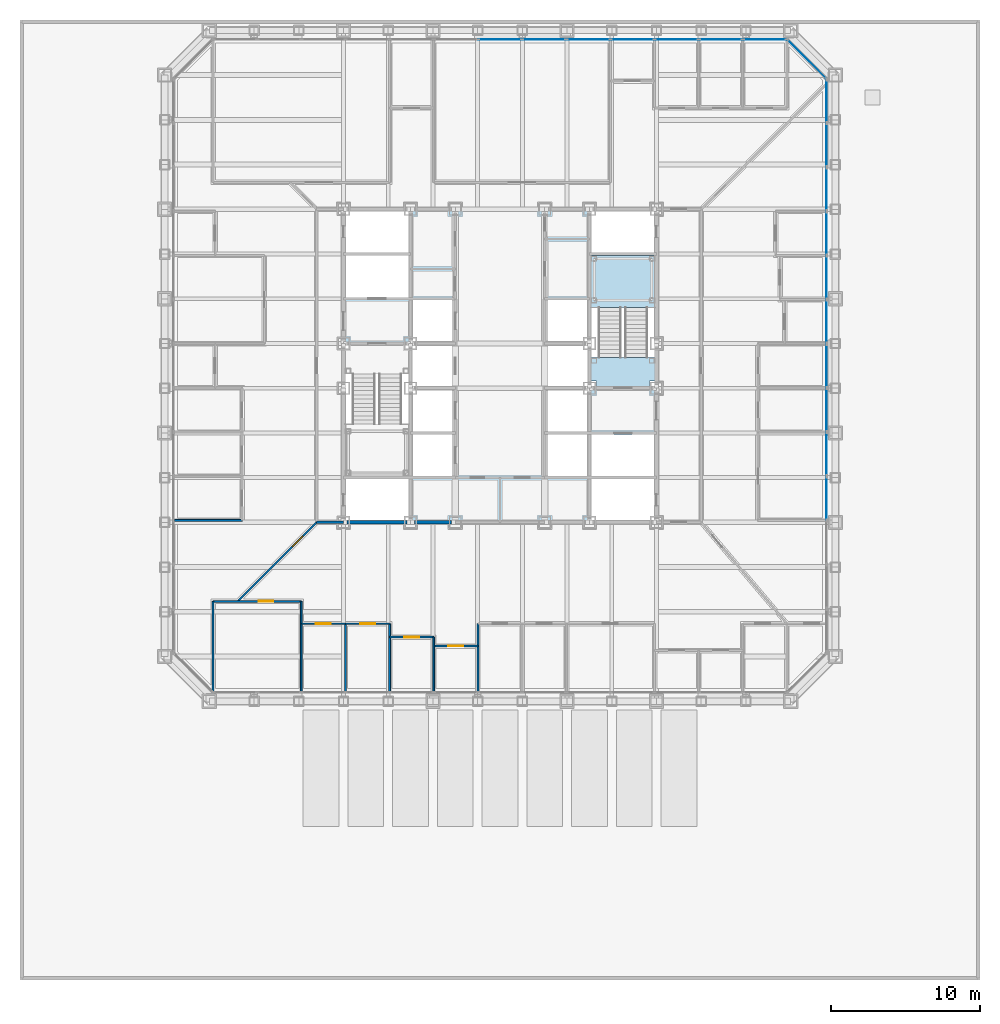
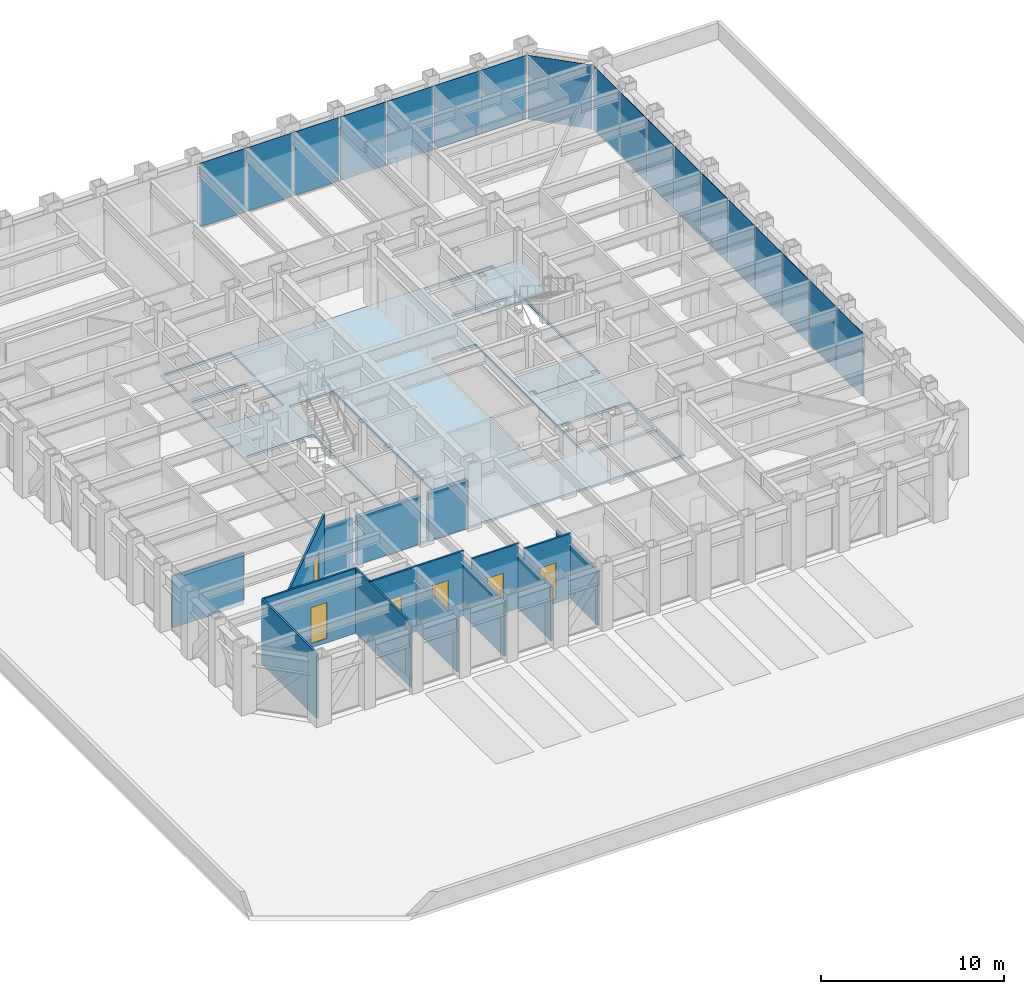
# One storey, part 8 of 18: 18 plates, 16 walls, 6 doors, 3 slabs, 6 openings, 4 elements without a shape of their own.
"""IFC4 building model written with IfcOpenShell, lengths in metres."""

from ifc_helpers import new_model, si_unit, direction, frame, frame_2d, origin, origin_2d, place, context, subcontext, project, spatial, polyline, rectangle, outline, extrude, material, layer, layer_set, type_object, element, fill, aggregate, save


model = new_model("IFC4")

# Units and contexts
model_context = context("Model", 3, precision=1e-05, world=origin(), true_north=direction((0.0, 1.0)))
body_context = subcontext(model_context, "Body", "Model", "MODEL_VIEW")
ifc_project = project(units=[si_unit("LENGTHUNIT", "METRE"), si_unit("AREAUNIT", "SQUARE_METRE"), si_unit("VOLUMEUNIT", "CUBIC_METRE"), si_unit("PLANEANGLEUNIT", "RADIAN"), si_unit("MASSUNIT", "GRAM", prefix="KILO")], contexts=[model_context])

# Site, building, storey
site_placement = place(None, origin())
site = spatial("IfcSite", under=ifc_project, at=site_placement, CompositionType="ELEMENT")
building_placement = place(site_placement, origin())
building = spatial("IfcBuilding", under=site, at=building_placement, Name="Chuquiago Exchange Tower", CompositionType="ELEMENT")
storey_placement = place(building_placement, frame((0.0, 0.0, 24.300048828125)))
storey = spatial("IfcBuildingStorey", under=building, at=storey_placement, Name="L04", CompositionType="ELEMENT", Elevation=24.300048828125)

# Curtain wall, plates
ifc_material_1 = material(Name="Aluminium curtain wall system", Category="aluminium")
ifc_layer_1 = layer(ifc_material_1, 0.25)
ifc_layer_set_1 = layer_set([ifc_layer_1], Name="CW1 trading floor curtain wall")
curtain_wall_type_1 = type_object("IfcCurtainWallType", Name="CW1 trading floor curtain wall", PredefinedType="NOTDEFINED", material=ifc_layer_set_1)
curtain_wall_1_placement = place(storey_placement, origin())
curtain_wall_1 = element("IfcCurtainWall", 1, at=curtain_wall_1_placement, inside=storey, type_object=curtain_wall_type_1, Name="CW1 curtain wall L04", PredefinedType="NOTDEFINED")
ifc_material_2 = material(Name="Glass, insulating unit", Category="glass")
ifc_layer_2 = layer(ifc_material_2, 0.031982421875)
ifc_layer_set_2 = layer_set([ifc_layer_2], Name="CW1-P panel 32")
plate_type_1 = type_object("IfcPlateType", Name="CW1-P panel 32", PredefinedType="CURTAIN_PANEL", material=ifc_layer_set_2)
plate_1_placement = place(storey_placement, frame((44.39990234375, 13.61474609375, -0.22509765625), z_axis=(0.0, 0.0, 1.0), x_axis=(0.0, 1.0, 0.0)))
plate_1 = element("IfcPlate", 2, at=plate_1_placement, type_object=plate_type_1, Name="CW1 panel 4.1", PredefinedType="CURTAIN_PANEL", context=body_context, shape_type="SweptSolid", body=[
    extrude(rectangle(XDim=2.88671875, YDim=0.031982421875, at=origin_2d()), origin(), (0.0, 0.0, 1.0), 4.264892578125),
])
plate_2_placement = place(storey_placement, frame((44.39990234375, 16.576416015625, -0.22509765625), z_axis=(0.0, 0.0, 1.0), x_axis=(0.0, 1.0, 0.0)))
plate_2 = element("IfcPlate", 3, at=plate_2_placement, type_object=plate_type_1, Name="CW1 panel 5.1", PredefinedType="CURTAIN_PANEL", context=body_context, shape_type="SweptSolid", body=[
    extrude(rectangle(XDim=2.88671875, YDim=0.031982421875, at=origin_2d()), origin(), (0.0, 0.0, 1.0), 4.264892578125),
])
plate_3_placement = place(storey_placement, frame((44.39990234375, 25.461669921875, -0.22509765625), z_axis=(0.0, 0.0, 1.0), x_axis=(0.0, 1.0, 0.0)))
plate_3 = element("IfcPlate", 4, at=plate_3_placement, type_object=plate_type_1, Name="CW1 panel 8.1", PredefinedType="CURTAIN_PANEL", context=body_context, shape_type="SweptSolid", body=[
    extrude(rectangle(XDim=2.88671875, YDim=0.031982421875, at=origin_2d()), origin(), (0.0, 0.0, 1.0), 4.264892578125),
])
plate_4_placement = place(storey_placement, frame((44.39990234375, 28.423583984375, -0.22509765625), z_axis=(0.0, 0.0, 1.0), x_axis=(0.0, 1.0, 0.0)))
plate_4 = element("IfcPlate", 5, at=plate_4_placement, type_object=plate_type_1, Name="CW1 panel 9.1", PredefinedType="CURTAIN_PANEL", context=body_context, shape_type="SweptSolid", body=[
    extrude(rectangle(XDim=2.88671875, YDim=0.031982421875, at=origin_2d()), origin(), (0.0, 0.0, 1.0), 4.264892578125),
])
plate_5_placement = place(storey_placement, frame((44.39990234375, 31.38525390625, -0.22509765625), z_axis=(0.0, 0.0, 1.0), x_axis=(0.0, 1.0, 0.0)))
plate_5 = element("IfcPlate", 6, at=plate_5_placement, type_object=plate_type_1, Name="CW1 panel 10.1", PredefinedType="CURTAIN_PANEL", context=body_context, shape_type="SweptSolid", body=[
    extrude(rectangle(XDim=2.88671875, YDim=0.031982421875, at=origin_2d()), origin(), (0.0, 0.0, 1.0), 4.264892578125),
])
plate_6_placement = place(storey_placement, frame((44.39990234375, 34.34716796875, -0.22509765625), z_axis=(0.0, 0.0, 1.0), x_axis=(0.0, 1.0, 0.0)))
plate_6 = element("IfcPlate", 7, at=plate_6_placement, type_object=plate_type_1, Name="CW1 panel 11.1", PredefinedType="CURTAIN_PANEL", context=body_context, shape_type="SweptSolid", body=[
    extrude(rectangle(XDim=2.88671875, YDim=0.031982421875, at=origin_2d()), origin(), (0.0, 0.0, 1.0), 4.264892578125),
])

curtain_wall_2_placement = place(storey_placement, origin())
curtain_wall_2 = element("IfcCurtainWall", 8, at=curtain_wall_2_placement, inside=storey, type_object=curtain_wall_type_1, Name="CW1 curtain wall L04", PredefinedType="NOTDEFINED")
plate_7_placement = place(storey_placement, frame((34.34716796875, 44.39990234375, -0.22509765625), z_axis=(0.0, 0.0, 1.0), x_axis=(-1.0, 0.0, 0.0)))
plate_7 = element("IfcPlate", 9, at=plate_7_placement, type_object=plate_type_1, Name="CW1 panel 3.1", PredefinedType="CURTAIN_PANEL", context=body_context, shape_type="SweptSolid", body=[
    extrude(rectangle(XDim=2.88671875, YDim=0.031982421875, at=origin_2d()), origin(), (0.0, 0.0, 1.0), 4.264892578125),
])
plate_8_placement = place(storey_placement, frame((31.38525390625, 44.39990234375, -0.22509765625), z_axis=(0.0, 0.0, 1.0), x_axis=(-1.0, 0.0, 0.0)))
plate_8 = element("IfcPlate", 10, at=plate_8_placement, type_object=plate_type_1, Name="CW1 panel 4.1", PredefinedType="CURTAIN_PANEL", context=body_context, shape_type="SweptSolid", body=[
    extrude(rectangle(XDim=2.88671875, YDim=0.031982421875, at=origin_2d()), origin(), (0.0, 0.0, 1.0), 4.264892578125),
])
plate_9_placement = place(storey_placement, frame((28.423583984375, 44.39990234375, -0.22509765625), z_axis=(0.0, 0.0, 1.0), x_axis=(-1.0, 0.0, 0.0)))
plate_9 = element("IfcPlate", 11, at=plate_9_placement, type_object=plate_type_1, Name="CW1 panel 5.1", PredefinedType="CURTAIN_PANEL", context=body_context, shape_type="SweptSolid", body=[
    extrude(rectangle(XDim=2.88671875, YDim=0.031982421875, at=origin_2d()), origin(), (0.0, 0.0, 1.0), 4.264892578125),
])

# Plate
ifc_material_3 = material(Name="Insulated spandrel panel, pale anodised aluminium", Category="aluminium")
ifc_layer_3 = layer(ifc_material_3, 0.031982421875)
ifc_layer_set_3 = layer_set([ifc_layer_3], Name="CW1-P spandrel panel 32")
plate_type_2 = type_object("IfcPlateType", Name="CW1-P spandrel panel 32", PredefinedType="CURTAIN_PANEL", material=ifc_layer_set_3)
plate_10_placement = place(storey_placement, frame((44.39990234375, 19.538330078125, -0.22509765625), z_axis=(0.0, 0.0, 1.0), x_axis=(0.0, 1.0, 0.0)))
plate_10 = element("IfcPlate", 12, at=plate_10_placement, type_object=plate_type_2, Name="CW1 panel 6.1", PredefinedType="CURTAIN_PANEL", context=body_context, shape_type="SweptSolid", body=[
    extrude(rectangle(XDim=2.88671875, YDim=0.031982421875, at=origin_2d()), origin(), (0.0, 0.0, 1.0), 4.264892578125),
])

plate_11_placement = place(storey_placement, frame((44.39990234375, 22.5, -0.22509765625), z_axis=(0.0, 0.0, 1.0), x_axis=(0.0, 1.0, 0.0)))
plate_11 = element("IfcPlate", 13, at=plate_11_placement, type_object=plate_type_2, Name="CW1 panel 7.1", PredefinedType="CURTAIN_PANEL", context=body_context, shape_type="SweptSolid", body=[
    extrude(rectangle(XDim=2.88671875, YDim=0.031982421875, at=origin_2d()), origin(), (0.0, 0.0, 1.0), 4.264892578125),
])

plate_12_placement = place(storey_placement, frame((44.39990234375, 37.308837890625, -0.22509765625), z_axis=(0.0, 0.0, 1.0), x_axis=(0.0, 1.0, 0.0)))
plate_12 = element("IfcPlate", 14, at=plate_12_placement, type_object=plate_type_2, Name="CW1 panel 12.1", PredefinedType="CURTAIN_PANEL", context=body_context, shape_type="SweptSolid", body=[
    extrude(rectangle(XDim=2.88671875, YDim=0.031982421875, at=origin_2d()), origin(), (0.0, 0.0, 1.0), 4.264892578125),
])

plate_13_placement = place(storey_placement, frame((44.39990234375, 40.251953125, -0.22509765625), z_axis=(0.0, 0.0, 1.0), x_axis=(0.0, 1.0, 0.0)))
plate_13 = element("IfcPlate", 15, at=plate_13_placement, type_object=plate_type_2, Name="CW1 panel 13.1", PredefinedType="CURTAIN_PANEL", context=body_context, shape_type="SweptSolid", body=[
    extrude(rectangle(XDim=2.849365234375, YDim=0.031982421875, at=origin_2d()), origin(), (0.0, 0.0, 1.0), 4.264892578125),
])

aggregate(curtain_wall_1, [plate_1, plate_2, plate_10, plate_11, plate_3, plate_4, plate_5, plate_6, plate_12, plate_13])

plate_14_placement = place(storey_placement, frame((40.251953125, 44.39990234375, -0.22509765625), z_axis=(0.0, 0.0, 1.0), x_axis=(-1.0, 0.0, 0.0)))
plate_14 = element("IfcPlate", 16, at=plate_14_placement, type_object=plate_type_2, Name="CW1 panel 1.1", PredefinedType="CURTAIN_PANEL", context=body_context, shape_type="SweptSolid", body=[
    extrude(rectangle(XDim=2.849365234375, YDim=0.031982421875, at=origin_2d()), origin(), (0.0, 0.0, 1.0), 4.264892578125),
])

plate_15_placement = place(storey_placement, frame((37.308837890625, 44.39990234375, -0.22509765625), z_axis=(0.0, 0.0, 1.0), x_axis=(-1.0, 0.0, 0.0)))
plate_15 = element("IfcPlate", 17, at=plate_15_placement, type_object=plate_type_2, Name="CW1 panel 2.1", PredefinedType="CURTAIN_PANEL", context=body_context, shape_type="SweptSolid", body=[
    extrude(rectangle(XDim=2.88671875, YDim=0.031982421875, at=origin_2d()), origin(), (0.0, 0.0, 1.0), 4.264892578125),
])

plate_16_placement = place(storey_placement, frame((25.461669921875, 44.39990234375, -0.22509765625), z_axis=(0.0, 0.0, 1.0), x_axis=(-1.0, 0.0, 0.0)))
plate_16 = element("IfcPlate", 18, at=plate_16_placement, type_object=plate_type_2, Name="CW1 panel 6.1", PredefinedType="CURTAIN_PANEL", context=body_context, shape_type="SweptSolid", body=[
    extrude(rectangle(XDim=2.88671875, YDim=0.031982421875, at=origin_2d()), origin(), (0.0, 0.0, 1.0), 4.264892578125),
])

plate_17_placement = place(storey_placement, frame((22.5, 44.39990234375, -0.22509765625), z_axis=(0.0, 0.0, 1.0), x_axis=(-1.0, 0.0, 0.0)))
plate_17 = element("IfcPlate", 19, at=plate_17_placement, type_object=plate_type_2, Name="CW1 panel 7.1", PredefinedType="CURTAIN_PANEL", context=body_context, shape_type="SweptSolid", body=[
    extrude(rectangle(XDim=2.88671875, YDim=0.031982421875, at=origin_2d()), origin(), (0.0, 0.0, 1.0), 4.264892578125),
])

aggregate(curtain_wall_2, [plate_14, plate_15, plate_7, plate_8, plate_9, plate_16, plate_17])

# Curtain wall, plate
ifc_material_4 = material(Name="Aluminium curtain wall system", Category="aluminium")
ifc_layer_4 = layer(ifc_material_4, 0.199951171875)
ifc_layer_set_4 = layer_set([ifc_layer_4], Name="CW3 facet curtain wall")
curtain_wall_type_2 = type_object("IfcCurtainWallType", Name="CW3 facet curtain wall", PredefinedType="NOTDEFINED", material=ifc_layer_set_4)
curtain_wall_3_placement = place(storey_placement, origin())
curtain_wall_3 = element("IfcCurtainWall", 20, at=curtain_wall_3_placement, inside=storey, type_object=curtain_wall_type_2, Name="CW3 curtain wall L04", PredefinedType="NOTDEFINED")
ifc_material_5 = material(Name="Insulated spandrel panel, pale anodised aluminium", Category="aluminium")
ifc_layer_5 = layer(ifc_material_5, 0.030029296875)
ifc_layer_set_5 = layer_set([ifc_layer_5], Name="CW3-P spandrel panel 30")
plate_type_3 = type_object("IfcPlateType", Name="CW3-P spandrel panel 30", PredefinedType="CURTAIN_PANEL", material=ifc_layer_set_5)
plate_18_placement = place(storey_placement, frame((43.07568359375, 43.07568359375, -0.235107421875), z_axis=(0.0, 0.0, 1.0), x_axis=(-0.707106781187, 0.707106781187, 0.0)))
plate_18 = element("IfcPlate", 21, at=plate_18_placement, type_object=plate_type_3, Name="CW3 panel 1.1", PredefinedType="CURTAIN_PANEL", context=body_context, shape_type="SweptSolid", body=[
    extrude(rectangle(XDim=3.615478515625, YDim=0.030029296875, at=origin_2d()), origin(), (0.0, 0.0, 1.0), 4.27490234375),
])
aggregate(curtain_wall_3, [plate_18])

# Slab
ifc_material_6 = material(Name="Concrete C30/37", Category="concrete")
ifc_layer_6 = layer(ifc_material_6, 0.159912109375)
ifc_layer_set_6 = layer_set([ifc_layer_6], Name="FS1 composite floor 160")
slab_type_1 = type_object("IfcSlabType", Name="FS1 composite floor 160", PredefinedType="FLOOR", material=ifc_layer_set_6)
slab_1_placement = place(storey_placement, frame((0.0, 0.0, -0.16015625)))
element("IfcSlab", 22, at=slab_1_placement, inside=storey, type_object=slab_type_1, Name="L04 core floor slab", PredefinedType="FLOOR", context=body_context, shape_type="SweptSolid", body=[
    extrude(outline(polyline([(33.0, 12.0), (33.0, 33.0), (12.0, 33.0), (12.0, 12.0), (33.0, 12.0)]), holes=[polyline([(16.39990234375, 15.10009765625), (12.10009765625, 15.10009765625), (12.10009765625, 23.89990234375), (16.39990234375, 23.89990234375), (16.39990234375, 15.10009765625)]), polyline([(32.89990234375, 21.10009765625), (28.60009765625, 21.10009765625), (28.60009765625, 29.89990234375), (32.89990234375, 29.89990234375), (32.89990234375, 21.10009765625)]), polyline([(16.39990234375, 12.10009765625), (12.10009765625, 12.10009765625), (12.10009765625, 14.89990234375), (16.39990234375, 14.89990234375), (16.39990234375, 12.10009765625)]), polyline([(16.39990234375, 30.10009765625), (12.10009765625, 30.10009765625), (12.10009765625, 32.89990234375), (16.39990234375, 32.89990234375), (16.39990234375, 30.10009765625)]), polyline([(32.89990234375, 12.10009765625), (28.60009765625, 12.10009765625), (28.60009765625, 14.89990234375), (32.89990234375, 14.89990234375), (32.89990234375, 12.10009765625)]), polyline([(32.89990234375, 30.10009765625), (28.60009765625, 30.10009765625), (28.60009765625, 32.89990234375), (32.89990234375, 32.89990234375), (32.89990234375, 30.10009765625)]), polyline([(16.39990234375, 27.10009765625), (12.10009765625, 27.10009765625), (12.10009765625, 29.89990234375), (16.39990234375, 29.89990234375), (16.39990234375, 27.10009765625)]), polyline([(32.89990234375, 15.10009765625), (28.60009765625, 15.10009765625), (28.60009765625, 17.89990234375), (32.89990234375, 17.89990234375), (32.89990234375, 15.10009765625)]), polyline([(19.39990234375, 15.10009765625), (16.60009765625, 15.10009765625), (16.60009765625, 26.89990234375), (19.39990234375, 26.89990234375), (19.39990234375, 15.10009765625)]), polyline([(28.39990234375, 15.10009765625), (25.60009765625, 15.10009765625), (25.60009765625, 26.89990234375), (28.39990234375, 26.89990234375), (28.39990234375, 15.10009765625)])]), origin(), (0.0, 0.0, 1.0), 0.16015625),
])

# Stair, slabs
ifc_material_7 = material(Name="Concrete C30/37, precast", Category="concrete")
stair_type = type_object("IfcStairType", Name="ST2 half-turn stair 4500", PredefinedType="HALF_TURN_STAIR", material=ifc_material_7)
stair_placement = place(storey_placement, origin())
stair = element("IfcStair", 23, at=stair_placement, inside=storey, type_object=stair_type, Name="Stair ST2 L04", PredefinedType="HALF_TURN_STAIR")
ifc_material_8 = material(Name="Concrete C30/37, precast", Category="concrete")
ifc_layer_7 = layer(ifc_material_8, 0.199951171875)
ifc_layer_set_7 = layer_set([ifc_layer_7], Name="ST-L landing 200")
slab_type_2 = type_object("IfcSlabType", Name="ST-L landing 200", PredefinedType="LANDING", material=ifc_layer_set_7)
slab_2_placement = place(storey_placement, frame((0.0, 0.0, -0.199951171875)))
slab_2 = element("IfcSlab", 24, at=slab_2_placement, type_object=slab_type_2, Name="ST2 landing 1", PredefinedType="LANDING", context=body_context, shape_type="SweptSolid", body=[
    extrude(outline(polyline([(32.52490234375, 21.47509765625), (32.52490234375, 21.10009765625), (28.97509765625, 21.10009765625), (28.97509765625, 21.47509765625), (28.60009765625, 21.47509765625), (28.60009765625, 23.050048828125), (32.89990234375, 23.050048828125), (32.89990234375, 21.47509765625), (32.52490234375, 21.47509765625)])), origin(), (0.0, 0.0, 1.0), 0.199951171875),
])
slab_3_placement = place(storey_placement, frame((0.0, 0.0, 2.050048828125)))
slab_3 = element("IfcSlab", 25, at=slab_3_placement, type_object=slab_type_2, Name="ST2 landing 2", PredefinedType="LANDING", context=body_context, shape_type="SweptSolid", body=[
    extrude(outline(polyline([(28.60009765625, 29.89990234375), (32.89990234375, 29.89990234375), (32.89990234375, 26.409912109375), (28.60009765625, 26.409912109375), (28.60009765625, 29.89990234375)])), origin(), (0.0, 0.0, 1.0), 0.199951171875),
])
aggregate(stair, [slab_2, slab_3])

# Walls
ifc_material_9 = material(Name="Concrete masonry, fully grouted", Category="masonry")
ifc_layer_8 = layer(ifc_material_9, 0.25)
ifc_layer_set_8 = layer_set([ifc_layer_8], Name="W1 core wall 250")
wall_type_1 = type_object("IfcWallType", Name="W1 core wall 250", PredefinedType="SOLIDWALL", material=ifc_layer_set_8)
wall_1_placement = place(storey_placement, frame((12.25, 12.0, 0.0), z_axis=(0.0, 0.0, 1.0), x_axis=(1.0, 0.0, 0.0)))
element("IfcWall", 26, at=wall_1_placement, inside=storey, type_object=wall_type_1, Name="CW-L04-01-0", PredefinedType="SOLIDWALL", context=body_context, shape_type="SweptSolid", body=[
    extrude(rectangle(XDim=4.0, YDim=0.25, at=frame_2d((2.0, 0.0))), origin(), (0.0, 0.0, 1.0), 3.181396484375),
])
wall_2_placement = place(storey_placement, frame((16.75, 12.0, 0.0), z_axis=(0.0, 0.0, 1.0), x_axis=(1.0, 0.0, 0.0)))
element("IfcWall", 27, at=wall_2_placement, inside=storey, type_object=wall_type_1, Name="CW-L04-01-1", PredefinedType="SOLIDWALL", context=body_context, shape_type="SweptSolid", body=[
    extrude(rectangle(XDim=2.5, YDim=0.25, at=frame_2d((1.25, 0.0))), origin(), (0.0, 0.0, 1.0), 3.181396484375),
])
ifc_material_10 = material(Name="Gypsum board on steel studs, acoustic insulation", Category="steel")
ifc_layer_9 = layer(ifc_material_10, 0.14990234375)
ifc_layer_set_9 = layer_set([ifc_layer_9], Name="W11 corridor wall 150")
wall_type_2 = type_object("IfcWallType", Name="W11 corridor wall 150", PredefinedType="PARTITIONING", material=ifc_layer_set_9)
wall_3_placement = place(storey_placement, frame((10.199951171875, 12.0, -0.300048828125), z_axis=(0.0, 0.0, 1.0), x_axis=(1.0, 0.0, 0.0)))
element("IfcWall", 28, at=wall_3_placement, inside=storey, type_object=wall_type_2, Name="PW-L04-GWS0", PredefinedType="PARTITIONING", context=body_context, shape_type="SweptSolid", body=[
    extrude(rectangle(XDim=1.800048828125, YDim=0.14990234375, at=frame_2d((0.89990234375, 0.0))), origin(), (0.0, 0.0, 1.0), 3.4814453125),
])
ifc_material_11 = material(Name="Gypsum board on steel studs", Category="steel")
ifc_layer_10 = layer(ifc_material_11, 0.1201171875)
ifc_layer_set_10 = layer_set([ifc_layer_10], Name="W4 partition 120")
wall_type_3 = type_object("IfcWallType", Name="W4 partition 120", PredefinedType="PARTITIONING", material=ifc_layer_set_10)
wall_4_placement = place(storey_placement, frame((3.24853515625, 0.666015625, -0.300048828125), z_axis=(0.0, 0.0, 1.0), x_axis=(0.0, 1.0, 0.0)))
element("IfcWall", 29, at=wall_4_placement, inside=storey, type_object=wall_type_3, Name="PW-L04-S00325", PredefinedType="PARTITIONING", context=body_context, shape_type="SweptSolid", body=[
    extrude(rectangle(XDim=6.033935546875, YDim=0.1201171875, at=frame_2d((3.01708984375, 0.0))), origin(), (0.0, 0.0, 1.0), 4.340087890625),
])
wall_5_placement = place(storey_placement, frame((9.172119140625, 0.657470703125, -0.300048828125), z_axis=(0.0, 0.0, 1.0), x_axis=(0.0, 1.0, 0.0)))
element("IfcWall", 30, at=wall_5_placement, inside=storey, type_object=wall_type_3, Name="PW-L04-S00917", PredefinedType="PARTITIONING", context=body_context, shape_type="SweptSolid", body=[
    extrude(rectangle(XDim=6.04248046875, YDim=0.1201171875, at=frame_2d((3.021240234375, 0.0))), origin(), (0.0, 0.0, 1.0), 4.340087890625),
])
wall_6_placement = place(storey_placement, frame((12.1337890625, 0.657470703125, -0.300048828125), z_axis=(0.0, 0.0, 1.0), x_axis=(0.0, 1.0, 0.0)))
element("IfcWall", 31, at=wall_6_placement, inside=storey, type_object=wall_type_3, Name="PW-L04-S01213", PredefinedType="PARTITIONING", context=body_context, shape_type="SweptSolid", body=[
    extrude(rectangle(XDim=4.54248046875, YDim=0.1201171875, at=frame_2d((2.271240234375, 0.0))), origin(), (0.0, 0.0, 1.0), 3.4814453125),
])
wall_7_placement = place(storey_placement, frame((15.095703125, 0.657470703125, -0.300048828125), z_axis=(0.0, 0.0, 1.0), x_axis=(0.0, 1.0, 0.0)))
element("IfcWall", 32, at=wall_7_placement, inside=storey, type_object=wall_type_3, Name="PW-L04-S01510", PredefinedType="PARTITIONING", context=body_context, shape_type="SweptSolid", body=[
    extrude(rectangle(XDim=4.54248046875, YDim=0.1201171875, at=frame_2d((2.271240234375, 0.0))), origin(), (0.0, 0.0, 1.0), 3.646484375),
])
wall_8_placement = place(storey_placement, frame((18.057373046875, 0.657470703125, -0.300048828125), z_axis=(0.0, 0.0, 1.0), x_axis=(0.0, 1.0, 0.0)))
element("IfcWall", 33, at=wall_8_placement, inside=storey, type_object=wall_type_3, Name="PW-L04-S01806", PredefinedType="PARTITIONING", context=body_context, shape_type="SweptSolid", body=[
    extrude(rectangle(XDim=3.642578125, YDim=0.1201171875, at=frame_2d((1.8212890625, 0.0))), origin(), (0.0, 0.0, 1.0), 3.646484375),
])
wall_9_placement = place(storey_placement, frame((21.01904296875, 0.657470703125, -0.300048828125), z_axis=(0.0, 0.0, 1.0), x_axis=(0.0, 1.0, 0.0)))
element("IfcWall", 34, at=wall_9_placement, inside=storey, type_object=wall_type_3, Name="PW-L04-S02102", PredefinedType="PARTITIONING", context=body_context, shape_type="SweptSolid", body=[
    extrude(rectangle(XDim=4.54248046875, YDim=0.1201171875, at=frame_2d((2.271240234375, 0.0))), origin(), (0.0, 0.0, 1.0), 3.646484375),
])

# Wall, opening, door
wall_10_placement = place(storey_placement, frame((3.24853515625, 6.699951171875, -0.300048828125), z_axis=(0.0, 0.0, 1.0), x_axis=(1.0, 0.0, 0.0)))
wall_10 = element("IfcWall", 35, at=wall_10_placement, inside=storey, type_object=wall_type_3, Name="PW-L04-SF00325", PredefinedType="PARTITIONING", context=body_context, shape_type="SweptSolid", body=[
    extrude(rectangle(XDim=5.923583984375, YDim=0.1201171875, at=frame_2d((2.9619140625, 0.0))), origin(), (0.0, 0.0, 1.0), 4.340087890625),
])
opening_1_placement = place(wall_10_placement, frame((3.05419921875, 0.0, 0.300048828125)))
opening_1 = element("IfcOpeningElement", 36, at=opening_1_placement, cuts=wall_10, Name="Opening L04-021", PredefinedType="OPENING", context=body_context, shape_type="SweptSolid", body=[
    extrude(rectangle(XDim=1.0, YDim=2.39990234375, at=frame_2d((0.5, 1.199951171875))), frame((0.0, 0.070068359375, 0.0), z_axis=(0.0, -1.0, 0.0), x_axis=(1.0, 0.0, 0.0)), (0.0, 0.0, 1.0), 0.14013671875),
])
ifc_material_12 = material(Name="Timber door, laminate faced", Category="wood")
door_type = type_object("IfcDoorType", Name="D9 room door 1000x2400", OperationType="SINGLE_SWING_LEFT", PredefinedType="DOOR", material=ifc_material_12)
door_1_placement = place(opening_1_placement, frame((1.0, 0.0, 0.0), z_axis=(0.0, 0.0, 1.0), x_axis=(-1.0, 0.0, 0.0)))
door_1 = element("IfcDoor", 37, at=door_1_placement, inside=storey, type_object=door_type, Name="Market data room door", OperationType="SINGLE_SWING_LEFT", OverallHeight=2.39990234375, OverallWidth=1.0, PredefinedType="DOOR", context=body_context, shape_type="SweptSolid", body=[
    extrude(rectangle(XDim=1.0, YDim=2.39990234375, at=frame_2d((0.5, 1.199951171875))), frame((0.0, 0.02490234375, 0.0), z_axis=(0.0, -1.0, 0.0), x_axis=(1.0, 0.0, 0.0)), (0.0, 0.0, 1.0), 0.050048828125),
])
fill(opening_1, door_1)

wall_11_placement = place(storey_placement, frame((9.172119140625, 5.199951171875, -0.300048828125), z_axis=(0.0, 0.0, 1.0), x_axis=(1.0, 0.0, 0.0)))
wall_11 = element("IfcWall", 38, at=wall_11_placement, inside=storey, type_object=wall_type_3, Name="PW-L04-SF00917", PredefinedType="PARTITIONING", context=body_context, shape_type="SweptSolid", body=[
    extrude(rectangle(XDim=2.961669921875, YDim=0.1201171875, at=frame_2d((1.48095703125, 0.0))), origin(), (0.0, 0.0, 1.0), 4.340087890625),
])
opening_2_placement = place(wall_11_placement, frame((0.98095703125, 0.0, 0.300048828125)))
opening_2 = element("IfcOpeningElement", 39, at=opening_2_placement, cuts=wall_11, Name="Opening L04-022", PredefinedType="OPENING", context=body_context, shape_type="SweptSolid", body=[
    extrude(rectangle(XDim=1.0, YDim=2.39990234375, at=frame_2d((0.5, 1.199951171875))), frame((0.0, 0.070068359375, 0.0), z_axis=(0.0, -1.0, 0.0), x_axis=(1.0, 0.0, 0.0)), (0.0, 0.0, 1.0), 0.14013671875),
])
door_2_placement = place(opening_2_placement, frame((1.0, 0.0, 0.0), z_axis=(0.0, 0.0, 1.0), x_axis=(-1.0, 0.0, 0.0)))
door_2 = element("IfcDoor", 40, at=door_2_placement, inside=storey, type_object=door_type, Name="Trading support room door", OperationType="SINGLE_SWING_LEFT", OverallHeight=2.39990234375, OverallWidth=1.0, PredefinedType="DOOR", context=body_context, shape_type="SweptSolid", body=[
    extrude(rectangle(XDim=1.0, YDim=2.39990234375, at=frame_2d((0.5, 1.199951171875))), frame((0.0, 0.02490234375, 0.0), z_axis=(0.0, -1.0, 0.0), x_axis=(1.0, 0.0, 0.0)), (0.0, 0.0, 1.0), 0.050048828125),
])
fill(opening_2, door_2)

wall_12_placement = place(storey_placement, frame((12.1337890625, 5.199951171875, -0.300048828125), z_axis=(0.0, 0.0, 1.0), x_axis=(1.0, 0.0, 0.0)))
wall_12 = element("IfcWall", 41, at=wall_12_placement, inside=storey, type_object=wall_type_3, Name="PW-L04-SF01213", PredefinedType="PARTITIONING", context=body_context, shape_type="SweptSolid", body=[
    extrude(rectangle(XDim=2.9619140625, YDim=0.1201171875, at=frame_2d((1.48095703125, 0.0))), origin(), (0.0, 0.0, 1.0), 4.340087890625),
])
opening_3_placement = place(wall_12_placement, frame((0.98095703125, 0.0, 0.300048828125)))
opening_3 = element("IfcOpeningElement", 42, at=opening_3_placement, cuts=wall_12, Name="Opening L04-023", PredefinedType="OPENING", context=body_context, shape_type="SweptSolid", body=[
    extrude(rectangle(XDim=1.0, YDim=2.39990234375, at=frame_2d((0.5, 1.199951171875))), frame((0.0, 0.070068359375, 0.0), z_axis=(0.0, -1.0, 0.0), x_axis=(1.0, 0.0, 0.0)), (0.0, 0.0, 1.0), 0.14013671875),
])
door_3_placement = place(opening_3_placement, frame((1.0, 0.0, 0.0), z_axis=(0.0, 0.0, 1.0), x_axis=(-1.0, 0.0, 0.0)))
door_3 = element("IfcDoor", 43, at=door_3_placement, inside=storey, type_object=door_type, Name="Trading support room door", OperationType="SINGLE_SWING_LEFT", OverallHeight=2.39990234375, OverallWidth=1.0, PredefinedType="DOOR", context=body_context, shape_type="SweptSolid", body=[
    extrude(rectangle(XDim=1.0, YDim=2.39990234375, at=frame_2d((0.5, 1.199951171875))), frame((0.0, 0.02490234375, 0.0), z_axis=(0.0, -1.0, 0.0), x_axis=(1.0, 0.0, 0.0)), (0.0, 0.0, 1.0), 0.050048828125),
])
fill(opening_3, door_3)

wall_13_placement = place(storey_placement, frame((15.095703125, 4.300048828125, -0.300048828125), z_axis=(0.0, 0.0, 1.0), x_axis=(1.0, 0.0, 0.0)))
wall_13 = element("IfcWall", 44, at=wall_13_placement, inside=storey, type_object=wall_type_3, Name="PW-L04-SF01510", PredefinedType="PARTITIONING", context=body_context, shape_type="SweptSolid", body=[
    extrude(rectangle(XDim=2.961669921875, YDim=0.1201171875, at=frame_2d((1.48095703125, 0.0))), origin(), (0.0, 0.0, 1.0), 4.340087890625),
])
opening_4_placement = place(wall_13_placement, frame((0.98095703125, 0.0, 0.300048828125)))
opening_4 = element("IfcOpeningElement", 45, at=opening_4_placement, cuts=wall_13, Name="Opening L04-024", PredefinedType="OPENING", context=body_context, shape_type="SweptSolid", body=[
    extrude(rectangle(XDim=1.0, YDim=2.39990234375, at=frame_2d((0.5, 1.199951171875))), frame((0.0, 0.070068359375, 0.0), z_axis=(0.0, -1.0, 0.0), x_axis=(1.0, 0.0, 0.0)), (0.0, 0.0, 1.0), 0.14013671875),
])
door_4_placement = place(opening_4_placement, frame((1.0, 0.0, 0.0), z_axis=(0.0, 0.0, 1.0), x_axis=(-1.0, 0.0, 0.0)))
door_4 = element("IfcDoor", 46, at=door_4_placement, inside=storey, type_object=door_type, Name="Comms room door", OperationType="SINGLE_SWING_RIGHT", OverallHeight=2.39990234375, OverallWidth=1.0, PredefinedType="DOOR", context=body_context, shape_type="SweptSolid", body=[
    extrude(rectangle(XDim=1.0, YDim=2.39990234375, at=frame_2d((0.5, 1.199951171875))), frame((0.0, 0.02490234375, 0.0), z_axis=(0.0, -1.0, 0.0), x_axis=(1.0, 0.0, 0.0)), (0.0, 0.0, 1.0), 0.050048828125),
])
fill(opening_4, door_4)

wall_14_placement = place(storey_placement, frame((18.057373046875, 3.699951171875, -0.300048828125), z_axis=(0.0, 0.0, 1.0), x_axis=(1.0, 0.0, 0.0)))
wall_14 = element("IfcWall", 47, at=wall_14_placement, inside=storey, type_object=wall_type_3, Name="PW-L04-SF01806", PredefinedType="PARTITIONING", context=body_context, shape_type="SweptSolid", body=[
    extrude(rectangle(XDim=2.961669921875, YDim=0.1201171875, at=frame_2d((1.48095703125, 0.0))), origin(), (0.0, 0.0, 1.0), 4.340087890625),
])
opening_5_placement = place(wall_14_placement, frame((0.98095703125, 0.0, 0.300048828125)))
opening_5 = element("IfcOpeningElement", 48, at=opening_5_placement, cuts=wall_14, Name="Opening L04-025", PredefinedType="OPENING", context=body_context, shape_type="SweptSolid", body=[
    extrude(rectangle(XDim=1.0, YDim=2.39990234375, at=frame_2d((0.5, 1.199951171875))), frame((0.0, 0.070068359375, 0.0), z_axis=(0.0, -1.0, 0.0), x_axis=(1.0, 0.0, 0.0)), (0.0, 0.0, 1.0), 0.14013671875),
])
door_5_placement = place(opening_5_placement, frame((1.0, 0.0, 0.0), z_axis=(0.0, 0.0, 1.0), x_axis=(-1.0, 0.0, 0.0)))
door_5 = element("IfcDoor", 49, at=door_5_placement, inside=storey, type_object=door_type, Name="Store door", OperationType="SINGLE_SWING_LEFT", OverallHeight=2.39990234375, OverallWidth=1.0, PredefinedType="DOOR", context=body_context, shape_type="SweptSolid", body=[
    extrude(rectangle(XDim=1.0, YDim=2.39990234375, at=frame_2d((0.5, 1.199951171875))), frame((0.0, 0.02490234375, 0.0), z_axis=(0.0, -1.0, 0.0), x_axis=(1.0, 0.0, 0.0)), (0.0, 0.0, 1.0), 0.050048828125),
])
fill(opening_5, door_5)

# Wall
wall_15_placement = place(storey_placement, frame((0.657470703125, 12.1337890625, -0.300048828125), z_axis=(0.0, 0.0, 1.0), x_axis=(1.0, 0.0, 0.0)))
element("IfcWall", 50, at=wall_15_placement, inside=storey, type_object=wall_type_3, Name="PW-L04-W01213", PredefinedType="PARTITIONING", context=body_context, shape_type="SweptSolid", body=[
    extrude(rectangle(XDim=4.54248046875, YDim=0.1201171875, at=frame_2d((2.271240234375, 0.0))), origin(), (0.0, 0.0, 1.0), 3.4814453125),
])

# Wall, opening, door
wall_16_placement = place(storey_placement, frame((10.199951171875, 12.0, -0.300048828125), z_axis=(0.0, 0.0, 1.0), x_axis=(-0.707106781187, -0.707106781187, 0.0)))
wall_16 = element("IfcWall", 51, at=wall_16_placement, inside=storey, type_object=wall_type_3, Name="PW-L04-QSW", PredefinedType="PARTITIONING", context=body_context, shape_type="SweptSolid", body=[
    extrude(rectangle(XDim=7.496826171875, YDim=0.1201171875, at=frame_2d((3.74853515625, 0.0))), origin(), (0.0, 0.0, 1.0), 4.340087890625),
])
opening_6_placement = place(wall_16_placement, frame((1.300048828125, 0.0, 0.300048828125)))
opening_6 = element("IfcOpeningElement", 52, at=opening_6_placement, cuts=wall_16, Name="Opening L04-058", PredefinedType="OPENING", context=body_context, shape_type="SweptSolid", body=[
    extrude(rectangle(XDim=1.0, YDim=2.39990234375, at=frame_2d((0.5, 1.199951171875))), frame((0.0, 0.070068359375, 0.0), z_axis=(0.0, -1.0, 0.0), x_axis=(1.0, 0.0, 0.0)), (0.0, 0.0, 1.0), 0.14013671875),
])
door_6_placement = place(opening_6_placement, frame((1.0, 0.0, 0.0), z_axis=(0.0, 0.0, 1.0), x_axis=(-1.0, 0.0, 0.0)))
door_6 = element("IfcDoor", 53, at=door_6_placement, inside=storey, type_object=door_type, Name="Team area door", OperationType="SINGLE_SWING_RIGHT", OverallHeight=2.39990234375, OverallWidth=1.0, PredefinedType="DOOR", context=body_context, shape_type="SweptSolid", body=[
    extrude(rectangle(XDim=1.0, YDim=2.39990234375, at=frame_2d((0.5, 1.199951171875))), frame((0.0, 0.02490234375, 0.0), z_axis=(0.0, -1.0, 0.0), x_axis=(1.0, 0.0, 0.0)), (0.0, 0.0, 1.0), 0.050048828125),
])
fill(opening_6, door_6)

save(model, "model.ifc")
